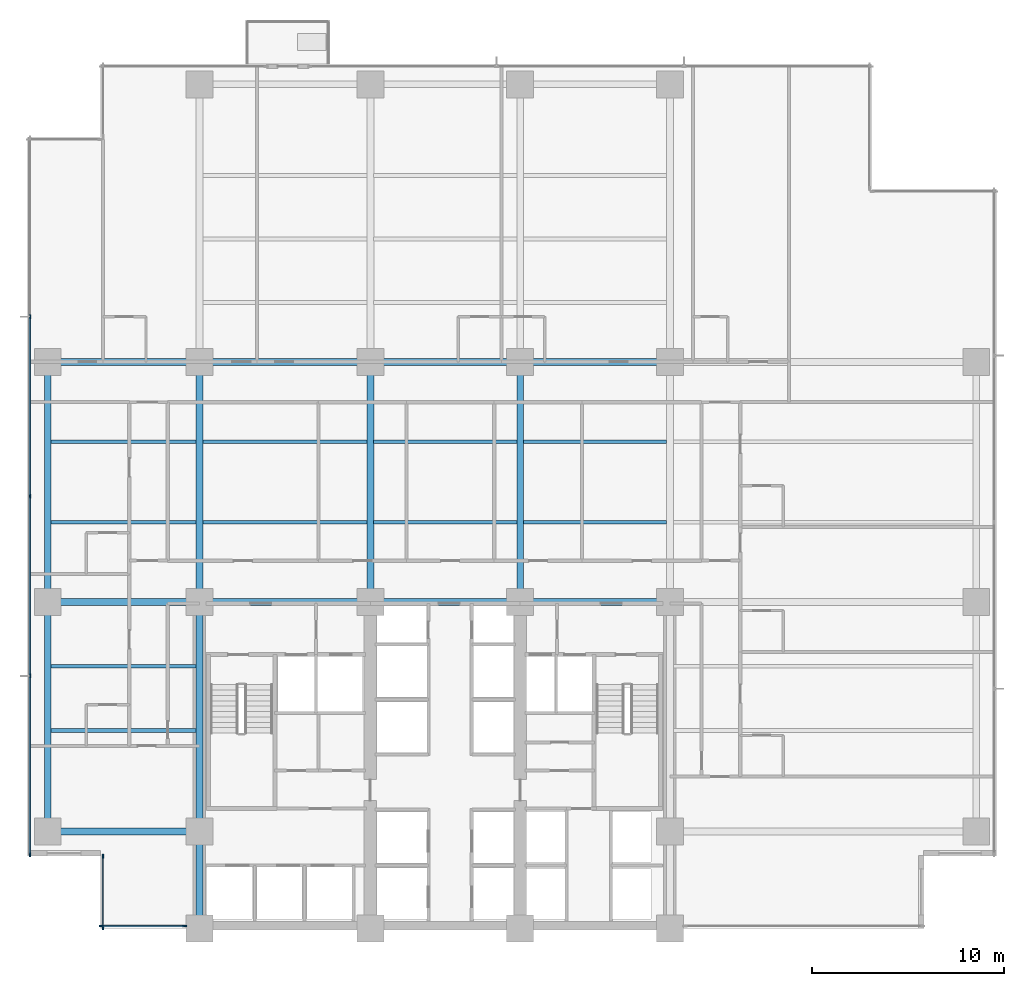
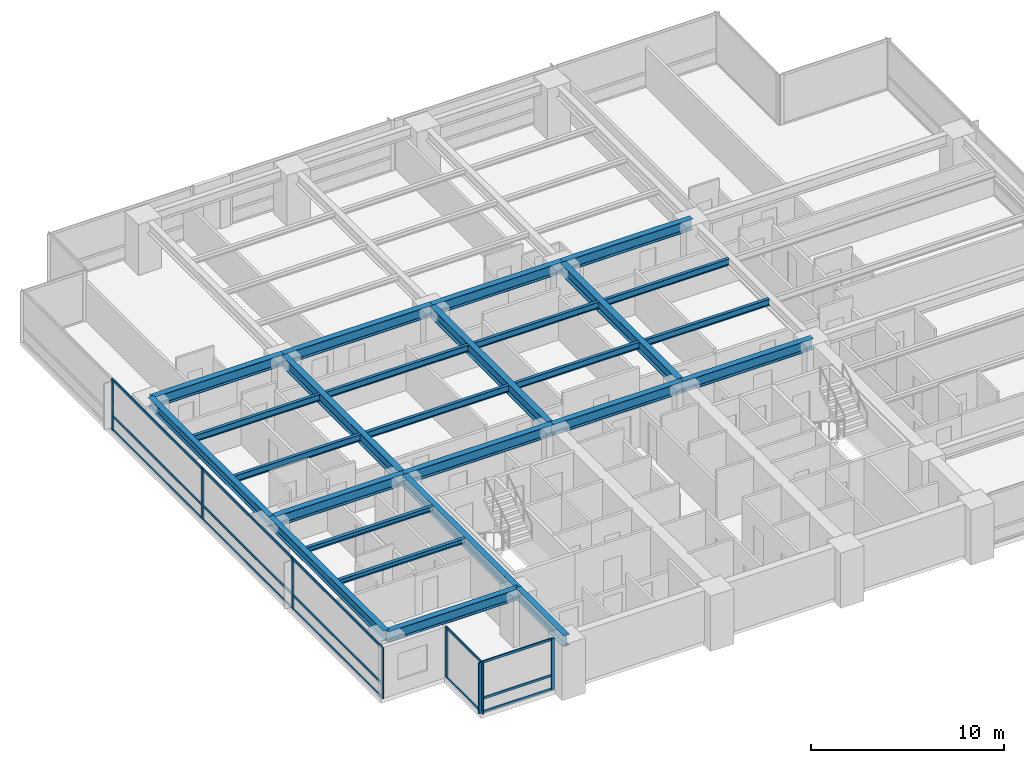
# One storey, part 2 of 16: 26 beams, 22 members, 3 elements without a shape of their own.
"""IFC4 building model written with IfcOpenShell, lengths in metres."""

from ifc_helpers import new_model, si_unit, direction, frame, origin, origin_2d, place, context, subcontext, project, spatial, rectangle, i_section, extrude, material, layer, layer_set, material_profile, profile_set, type_object, element, aggregate, save


model = new_model("IFC4")

# Units and contexts
model_context = context("Model", 3, precision=1e-05, world=origin(), true_north=direction((0.0, 1.0)))
body_context = subcontext(model_context, "Body", "Model", "MODEL_VIEW")
ifc_project = project(units=[si_unit("LENGTHUNIT", "METRE"), si_unit("AREAUNIT", "SQUARE_METRE"), si_unit("VOLUMEUNIT", "CUBIC_METRE"), si_unit("PLANEANGLEUNIT", "RADIAN"), si_unit("MASSUNIT", "GRAM", prefix="KILO")], contexts=[model_context])

# Site, building, storey
site_placement = place(None, origin())
site = spatial("IfcSite", under=ifc_project, at=site_placement, CompositionType="ELEMENT")
building_placement = place(site_placement, origin())
building = spatial("IfcBuilding", under=site, at=building_placement, Name="Qalmaran Belvedere Hotel", CompositionType="ELEMENT")
storey_placement = place(building_placement, frame((0.0, 0.0, 43.89990234375)))
storey = spatial("IfcBuildingStorey", under=building, at=storey_placement, Name="L10", CompositionType="ELEMENT", Elevation=43.89990234375)

# Beams
ifc_material_1 = material(Name="Steel S355JR", Category="steel")
ifc_material_profile_1 = material_profile(ifc_material_1, i_section(OverallWidth=0.202880859375, OverallDepth=0.302978515625, WebThickness=0.007568359375, FlangeThickness=0.01318359375, FilletRadius=0.012939453125, at=origin_2d()), Name="W310X60")
ifc_profile_set_1 = profile_set([ifc_material_profile_1], Name="Steel S355JR")
beam_type_1 = type_object("IfcBeamType", Name="BM-JST-W310X60", PredefinedType="JOIST", material=ifc_profile_set_1)
for number, where, z_axis, x_axis, name in (
    (1, (12.5615234375, 13.800048828125, 3.068603515625), (1.0, 0.0, 0.0), (0.0, 1.0, 0.0), "L10 West Wing Joist 038"),
    (2, (12.5615234375, 17.14990234375, 3.068603515625), (1.0, 0.0, 0.0), (0.0, 1.0, 0.0), "L10 West Wing Joist 040"),
):
    element("IfcBeam", number, at=place(storey_placement, frame(where, z_axis=z_axis, x_axis=x_axis)), inside=storey, type_object=beam_type_1, Name=name, PredefinedType="JOIST", context=body_context, shape_type="SweptSolid", body=[
        extrude(i_section(OverallWidth=0.202880859375, OverallDepth=0.302978515625, WebThickness=0.007568359375, FlangeThickness=0.01318359375, FilletRadius=0.012939453125, at=origin_2d()), origin(), (0.0, 0.0, 1.0), 7.56298828125),
    ])
ifc_material_profile_2 = material_profile(ifc_material_1, i_section(OverallWidth=0.180908203125, OverallDepth=0.4169921875, WebThickness=0.010986328125, FlangeThickness=0.018310546875, FilletRadius=0.014892578125, at=origin_2d()), Name="W410X85")
ifc_profile_set_2 = profile_set([ifc_material_profile_2], Name="Steel S355JR")
beam_type_2 = type_object("IfcBeamType", Name="BM-SB1-W410X85", PredefinedType="BEAM", material=ifc_profile_set_2)
beam_1_placement = place(storey_placement, frame((12.5615234375, 24.64990234375, 3.01171875), z_axis=(1.0, 0.0, 0.0), x_axis=(0.0, 1.0, 0.0)))
element("IfcBeam", 3, at=beam_1_placement, inside=storey, type_object=beam_type_2, Name="L10 West Secondary Beam 028", PredefinedType="BEAM", context=body_context, shape_type="SweptSolid", body=[
    extrude(i_section(OverallWidth=0.180908203125, OverallDepth=0.4169921875, WebThickness=0.010986328125, FlangeThickness=0.018310546875, FilletRadius=0.014892578125, at=origin_2d()), origin(), (0.0, 0.0, 1.0), 7.56298828125),
])
beam_2_placement = place(storey_placement, frame((20.4755859375, 24.64990234375, 3.01171875), z_axis=(1.0, 0.0, 0.0), x_axis=(0.0, 1.0, 0.0)))
element("IfcBeam", 4, at=beam_2_placement, inside=storey, type_object=beam_type_2, Name="L10 Secondary Floor Beam 029", PredefinedType="BEAM", context=body_context, shape_type="SweptSolid", body=[
    extrude(i_section(OverallWidth=0.180908203125, OverallDepth=0.4169921875, WebThickness=0.010986328125, FlangeThickness=0.018310546875, FilletRadius=0.014892578125, at=origin_2d()), origin(), (0.0, 0.0, 1.0), 8.548828125),
])
for number, where, z_axis, x_axis, name in (
    (5, (29.37548828125, 24.64990234375, 3.01171875), (1.0, 0.0, 0.0), (0.0, 1.0, 0.0), "L10 Secondary Floor Beam 030"),
    (6, (37.175537109375, 24.64990234375, 3.01171875), (1.0, 0.0, 0.0), (0.0, 1.0, 0.0), "L10 Secondary Floor Beam 031"),
):
    element("IfcBeam", number, at=place(storey_placement, frame(where, z_axis=z_axis, x_axis=x_axis)), inside=storey, type_object=beam_type_2, Name=name, PredefinedType="BEAM", context=body_context, shape_type="SweptSolid", body=[
        extrude(i_section(OverallWidth=0.180908203125, OverallDepth=0.4169921875, WebThickness=0.010986328125, FlangeThickness=0.018310546875, FilletRadius=0.014892578125, at=origin_2d()), origin(), (0.0, 0.0, 1.0), 7.448974609375),
    ])
beam_3_placement = place(storey_placement, frame((12.5615234375, 28.85009765625, 3.01171875), z_axis=(1.0, 0.0, 0.0), x_axis=(0.0, 1.0, 0.0)))
element("IfcBeam", 7, at=beam_3_placement, inside=storey, type_object=beam_type_2, Name="L10 West Secondary Beam 033", PredefinedType="BEAM", context=body_context, shape_type="SweptSolid", body=[
    extrude(i_section(OverallWidth=0.180908203125, OverallDepth=0.4169921875, WebThickness=0.010986328125, FlangeThickness=0.018310546875, FilletRadius=0.014892578125, at=origin_2d()), origin(), (0.0, 0.0, 1.0), 7.56298828125),
])
beam_4_placement = place(storey_placement, frame((20.4755859375, 28.85009765625, 3.01171875), z_axis=(1.0, 0.0, 0.0), x_axis=(0.0, 1.0, 0.0)))
element("IfcBeam", 8, at=beam_4_placement, inside=storey, type_object=beam_type_2, Name="L10 Secondary Floor Beam 034", PredefinedType="BEAM", context=body_context, shape_type="SweptSolid", body=[
    extrude(i_section(OverallWidth=0.180908203125, OverallDepth=0.4169921875, WebThickness=0.010986328125, FlangeThickness=0.018310546875, FilletRadius=0.014892578125, at=origin_2d()), origin(), (0.0, 0.0, 1.0), 8.548828125),
])
for number, where, z_axis, x_axis, name in (
    (9, (29.37548828125, 28.85009765625, 3.01171875), (1.0, 0.0, 0.0), (0.0, 1.0, 0.0), "L10 Secondary Floor Beam 035"),
    (10, (37.175537109375, 28.85009765625, 3.01171875), (1.0, 0.0, 0.0), (0.0, 1.0, 0.0), "L10 Secondary Floor Beam 036"),
):
    element("IfcBeam", number, at=place(storey_placement, frame(where, z_axis=z_axis, x_axis=x_axis)), inside=storey, type_object=beam_type_2, Name=name, PredefinedType="BEAM", context=body_context, shape_type="SweptSolid", body=[
        extrude(i_section(OverallWidth=0.180908203125, OverallDepth=0.4169921875, WebThickness=0.010986328125, FlangeThickness=0.018310546875, FilletRadius=0.014892578125, at=origin_2d()), origin(), (0.0, 0.0, 1.0), 7.448974609375),
    ])
ifc_material_profile_3 = material_profile(ifc_material_1, i_section(OverallWidth=0.326904296875, OverallDepth=0.6220703125, WebThickness=0.015380859375, FlangeThickness=0.0244140625, FilletRadius=0.02001953125, at=origin_2d()), Name="W610X195")
ifc_profile_set_3 = profile_set([ifc_material_profile_3], Name="Steel S355JR")
beam_type_3 = type_object("IfcBeamType", Name="BM-SP1-W610X195", PredefinedType="SPANDREL", material=ifc_profile_set_3)
beam_5_placement = place(storey_placement, frame((12.39990234375, 8.550048828125, 2.9091796875), z_axis=(0.0, 1.0, 0.0), x_axis=(-1.0, 0.0, 0.0)))
element("IfcBeam", 11, at=beam_5_placement, inside=storey, type_object=beam_type_3, Name="L10 Perimeter Spandrel 01", PredefinedType="SPANDREL", context=body_context, shape_type="SweptSolid", body=[
    extrude(i_section(OverallWidth=0.326904296875, OverallDepth=0.6220703125, WebThickness=0.015380859375, FlangeThickness=0.0244140625, FilletRadius=0.02001953125, at=origin_2d()), origin(), (0.0, 0.0, 1.0), 11.949951171875),
])
beam_6_placement = place(storey_placement, frame((12.39990234375, 20.5, 2.9091796875), z_axis=(0.0, 1.0, 0.0), x_axis=(-1.0, 0.0, 0.0)))
element("IfcBeam", 12, at=beam_6_placement, inside=storey, type_object=beam_type_3, Name="L10 Perimeter Spandrel 02", PredefinedType="SPANDREL", context=body_context, shape_type="SweptSolid", body=[
    extrude(i_section(OverallWidth=0.326904296875, OverallDepth=0.6220703125, WebThickness=0.015380859375, FlangeThickness=0.0244140625, FilletRadius=0.02001953125, at=origin_2d()), origin(), (0.0, 0.0, 1.0), 12.5),
])
ifc_material_profile_4 = material_profile(ifc_material_1, i_section(OverallWidth=0.35498046875, OverallDepth=0.695068359375, WebThickness=0.015380859375, FlangeThickness=0.02490234375, FilletRadius=0.02197265625, at=origin_2d()), Name="W690X217")
ifc_profile_set_4 = profile_set([ifc_material_profile_4], Name="Steel S355JR")
beam_type_4 = type_object("IfcBeamType", Name="BM-Z1-W690X217", PredefinedType="USERDEFINED", material=ifc_profile_set_4)
beam_7_placement = place(storey_placement, frame((20.300048828125, 20.5, 2.87255859375), z_axis=(1.0, 0.0, 0.0), x_axis=(0.0, 1.0, 0.0)))
element("IfcBeam", 13, at=beam_7_placement, inside=storey, type_object=beam_type_4, Name="L10 Interior E-W Girder 08", ObjectType="GIRDER", PredefinedType="USERDEFINED", context=body_context, shape_type="SweptSolid", body=[
    extrude(i_section(OverallWidth=0.35498046875, OverallDepth=0.695068359375, WebThickness=0.015380859375, FlangeThickness=0.02490234375, FilletRadius=0.02197265625, at=origin_2d()), origin(), (0.0, 0.0, 1.0), 8.89990234375),
])
for number, where, z_axis, x_axis, name in (
    (14, (29.199951171875, 20.5, 2.87255859375), (1.0, 0.0, 0.0), (0.0, 1.0, 0.0), "L10 Interior E-W Girder 09"),
    (15, (37.0, 20.5, 2.87255859375), (1.0, 0.0, 0.0), (0.0, 1.0, 0.0), "L10 Interior E-W Girder 10"),
):
    element("IfcBeam", number, at=place(storey_placement, frame(where, z_axis=z_axis, x_axis=x_axis)), inside=storey, type_object=beam_type_4, Name=name, ObjectType="GIRDER", PredefinedType="USERDEFINED", context=body_context, shape_type="SweptSolid", body=[
        extrude(i_section(OverallWidth=0.35498046875, OverallDepth=0.695068359375, WebThickness=0.015380859375, FlangeThickness=0.02490234375, FilletRadius=0.02197265625, at=origin_2d()), origin(), (0.0, 0.0, 1.0), 7.800048828125),
    ])
beam_8_placement = place(storey_placement, frame((20.300048828125, 33.0, 2.87255859375), z_axis=(1.0, 0.0, 0.0), x_axis=(0.0, 1.0, 0.0)))
element("IfcBeam", 16, at=beam_8_placement, inside=storey, type_object=beam_type_4, Name="L10 Interior E-W Girder 11", ObjectType="GIRDER", PredefinedType="USERDEFINED", context=body_context, shape_type="SweptSolid", body=[
    extrude(i_section(OverallWidth=0.35498046875, OverallDepth=0.695068359375, WebThickness=0.015380859375, FlangeThickness=0.02490234375, FilletRadius=0.02197265625, at=origin_2d()), origin(), (0.0, 0.0, 1.0), 8.89990234375),
])
for number, where, z_axis, x_axis, name in (
    (17, (29.199951171875, 33.0, 2.87255859375), (1.0, 0.0, 0.0), (0.0, 1.0, 0.0), "L10 Interior E-W Girder 12"),
    (18, (37.0, 33.0, 2.87255859375), (1.0, 0.0, 0.0), (0.0, 1.0, 0.0), "L10 Interior E-W Girder 13"),
):
    element("IfcBeam", number, at=place(storey_placement, frame(where, z_axis=z_axis, x_axis=x_axis)), inside=storey, type_object=beam_type_4, Name=name, ObjectType="GIRDER", PredefinedType="USERDEFINED", context=body_context, shape_type="SweptSolid", body=[
        extrude(i_section(OverallWidth=0.35498046875, OverallDepth=0.695068359375, WebThickness=0.015380859375, FlangeThickness=0.02490234375, FilletRadius=0.02197265625, at=origin_2d()), origin(), (0.0, 0.0, 1.0), 7.800048828125),
    ])
for number, where, z_axis, x_axis, name in (
    (19, (20.300048828125, 20.5, 2.87255859375), (0.0, 1.0, 0.0), (-1.0, 0.0, 0.0), "L10 Mid-Plate N-S Girder 14"),
    (20, (29.199951171875, 20.5, 2.87255859375), (0.0, 1.0, 0.0), (-1.0, 0.0, 0.0), "L10 Mid-Plate N-S Girder 16"),
    (21, (37.0, 20.5, 2.87255859375), (0.0, 1.0, 0.0), (-1.0, 0.0, 0.0), "L10 Mid-Plate N-S Girder 18"),
):
    element("IfcBeam", number, at=place(storey_placement, frame(where, z_axis=z_axis, x_axis=x_axis)), inside=storey, type_object=beam_type_4, Name=name, ObjectType="GIRDER", PredefinedType="USERDEFINED", context=body_context, shape_type="SweptSolid", body=[
        extrude(i_section(OverallWidth=0.35498046875, OverallDepth=0.695068359375, WebThickness=0.015380859375, FlangeThickness=0.02490234375, FilletRadius=0.02197265625, at=origin_2d()), origin(), (0.0, 0.0, 1.0), 12.5),
    ])
for number, where, z_axis, x_axis, name in (
    (22, (12.39990234375, 8.550048828125, 2.87255859375), (1.0, 0.0, 0.0), (0.0, 1.0, 0.0), "L10 West Wing Girder 22"),
    (23, (12.39990234375, 20.5, 2.87255859375), (1.0, 0.0, 0.0), (0.0, 1.0, 0.0), "L10 West Wing Girder 23"),
    (24, (12.39990234375, 33.0, 2.87255859375), (1.0, 0.0, 0.0), (0.0, 1.0, 0.0), "L10 West Wing Girder 24"),
):
    element("IfcBeam", number, at=place(storey_placement, frame(where, z_axis=z_axis, x_axis=x_axis)), inside=storey, type_object=beam_type_4, Name=name, ObjectType="GIRDER", PredefinedType="USERDEFINED", context=body_context, shape_type="SweptSolid", body=[
        extrude(i_section(OverallWidth=0.35498046875, OverallDepth=0.695068359375, WebThickness=0.015380859375, FlangeThickness=0.02490234375, FilletRadius=0.02197265625, at=origin_2d()), origin(), (0.0, 0.0, 1.0), 7.900146484375),
    ])
beam_9_placement = place(storey_placement, frame((20.300048828125, 3.5, 2.87255859375), z_axis=(0.0, 1.0, 0.0), x_axis=(-1.0, 0.0, 0.0)))
element("IfcBeam", 25, at=beam_9_placement, inside=storey, type_object=beam_type_4, Name="L10 West Core Edge Girder A", ObjectType="GIRDER", PredefinedType="USERDEFINED", context=body_context, shape_type="SweptSolid", body=[
    extrude(i_section(OverallWidth=0.35498046875, OverallDepth=0.695068359375, WebThickness=0.015380859375, FlangeThickness=0.02490234375, FilletRadius=0.02197265625, at=origin_2d()), origin(), (0.0, 0.0, 1.0), 5.050048828125),
])
beam_10_placement = place(storey_placement, frame((20.300048828125, 8.550048828125, 2.87255859375), z_axis=(0.0, 1.0, 0.0), x_axis=(-1.0, 0.0, 0.0)))
element("IfcBeam", 26, at=beam_10_placement, inside=storey, type_object=beam_type_4, Name="L10 West Core Edge Girder B", ObjectType="GIRDER", PredefinedType="USERDEFINED", context=body_context, shape_type="SweptSolid", body=[
    extrude(i_section(OverallWidth=0.35498046875, OverallDepth=0.695068359375, WebThickness=0.015380859375, FlangeThickness=0.02490234375, FilletRadius=0.02197265625, at=origin_2d()), origin(), (0.0, 0.0, 1.0), 11.949951171875),
])

# Curtain wall, members
ifc_material_2 = material(Name="Anodised Bronze Aluminium", Category="aluminium")
ifc_layer = layer(ifc_material_2, 0.2099609375, Name="Anodised Bronze Aluminium")
ifc_layer_set = layer_set([ifc_layer], Name="Anodised Bronze Aluminium")
curtain_wall_type = type_object("IfcCurtainWallType", Name="CW2-TOWER-LOWER", PredefinedType="NOTDEFINED", material=ifc_layer_set)
curtain_wall_1_placement = place(storey_placement, origin())
curtain_wall_1 = element("IfcCurtainWall", 27, at=curtain_wall_1_placement, inside=storey, type_object=curtain_wall_type, Name="L10 Curtain Wall CW2", PredefinedType="NOTDEFINED")
ifc_material_profile_5 = material_profile(ifc_material_2, rectangle(XDim=0.074951171875, YDim=0.219970703125, at=origin_2d()), Name="CWM75X220")
ifc_profile_set_5 = profile_set([ifc_material_profile_5], Name="Anodised Bronze Aluminium")
member_type_1 = type_object("IfcMemberType", Name="CWM-75X220", PredefinedType="MULLION", material=ifc_profile_set_5)
member_1_placement = place(storey_placement, frame((15.1875, 3.6201171875, 0.0), z_axis=(0.0, 0.0, 1.0), x_axis=(0.0, 1.0, 0.0)))
member_1 = element("IfcMember", 28, at=member_1_placement, type_object=member_type_1, Name="CW2 mullion 1", PredefinedType="MULLION", context=body_context, shape_type="SweptSolid", body=[
    extrude(rectangle(XDim=0.074951171875, YDim=0.219970703125, at=origin_2d()), origin(), (0.0, 0.0, 1.0), 3.22021484375),
])
member_2_placement = place(storey_placement, frame((19.5224609375, 3.6201171875, 0.0), z_axis=(0.0, 0.0, 1.0), x_axis=(0.0, 1.0, 0.0)))
member_2 = element("IfcMember", 29, at=member_2_placement, type_object=member_type_1, Name="CW2 mullion 2", PredefinedType="MULLION", context=body_context, shape_type="SweptSolid", body=[
    extrude(rectangle(XDim=0.074951171875, YDim=0.219970703125, at=origin_2d()), origin(), (0.0, 0.0, 1.0), 3.22021484375),
])

curtain_wall_2_placement = place(storey_placement, origin())
curtain_wall_2 = element("IfcCurtainWall", 30, at=curtain_wall_2_placement, inside=storey, type_object=curtain_wall_type, Name="L10 Curtain Wall CW2", PredefinedType="NOTDEFINED")
member_3_placement = place(storey_placement, frame((11.469970703125, 35.35009765625, 0.0), z_axis=(0.0, 0.0, 1.0), x_axis=(1.0, 0.0, 0.0)))
member_3 = element("IfcMember", 31, at=member_3_placement, type_object=member_type_1, Name="CW2 mullion 2", PredefinedType="MULLION", context=body_context, shape_type="SweptSolid", body=[
    extrude(rectangle(XDim=0.074951171875, YDim=0.219970703125, at=origin_2d()), origin(), (0.0, 0.0, 1.0), 3.22021484375),
])
member_4_placement = place(storey_placement, frame((11.469970703125, 26.0, 0.0), z_axis=(0.0, 0.0, 1.0), x_axis=(1.0, 0.0, 0.0)))
member_4 = element("IfcMember", 32, at=member_4_placement, type_object=member_type_1, Name="CW2 mullion 3", PredefinedType="MULLION", context=body_context, shape_type="SweptSolid", body=[
    extrude(rectangle(XDim=0.074951171875, YDim=0.219970703125, at=origin_2d()), origin(), (0.0, 0.0, 1.0), 3.22021484375),
])
member_5_placement = place(storey_placement, frame((11.469970703125, 16.64990234375, 0.0), z_axis=(0.0, 0.0, 1.0), x_axis=(1.0, 0.0, 0.0)))
member_5 = element("IfcMember", 33, at=member_5_placement, type_object=member_type_1, Name="CW2 mullion 4", PredefinedType="MULLION", context=body_context, shape_type="SweptSolid", body=[
    extrude(rectangle(XDim=0.074951171875, YDim=0.219970703125, at=origin_2d()), origin(), (0.0, 0.0, 1.0), 3.22021484375),
])
member_6_placement = place(storey_placement, frame((11.469970703125, 7.33740234375, 0.0), z_axis=(0.0, 0.0, 1.0), x_axis=(1.0, 0.0, 0.0)))
member_6 = element("IfcMember", 34, at=member_6_placement, type_object=member_type_1, Name="CW2 mullion 5", PredefinedType="MULLION", context=body_context, shape_type="SweptSolid", body=[
    extrude(rectangle(XDim=0.074951171875, YDim=0.219970703125, at=origin_2d()), origin(), (0.0, 0.0, 1.0), 3.22021484375),
])

curtain_wall_3_placement = place(storey_placement, origin())
curtain_wall_3 = element("IfcCurtainWall", 35, at=curtain_wall_3_placement, inside=storey, type_object=curtain_wall_type, Name="L10 Curtain Wall CW2", PredefinedType="NOTDEFINED")
member_7_placement = place(storey_placement, frame((15.27001953125, 7.262451171875, 0.0), z_axis=(0.0, 0.0, 1.0), x_axis=(1.0, 0.0, 0.0)))
member_7 = element("IfcMember", 36, at=member_7_placement, type_object=member_type_1, Name="CW2 mullion 1", PredefinedType="MULLION", context=body_context, shape_type="SweptSolid", body=[
    extrude(rectangle(XDim=0.074951171875, YDim=0.219970703125, at=origin_2d()), origin(), (0.0, 0.0, 1.0), 3.22021484375),
])
member_8_placement = place(storey_placement, frame((15.27001953125, 3.53759765625, 0.0), z_axis=(0.0, 0.0, 1.0), x_axis=(1.0, 0.0, 0.0)))
member_8 = element("IfcMember", 37, at=member_8_placement, type_object=member_type_1, Name="CW2 mullion 2", PredefinedType="MULLION", context=body_context, shape_type="SweptSolid", body=[
    extrude(rectangle(XDim=0.074951171875, YDim=0.219970703125, at=origin_2d()), origin(), (0.0, 0.0, 1.0), 3.22021484375),
])

# Member
ifc_material_profile_6 = material_profile(ifc_material_2, rectangle(XDim=0.070068359375, YDim=0.14990234375, at=origin_2d()), Name="CWT70X150")
ifc_profile_set_6 = profile_set([ifc_material_profile_6], Name="Anodised Bronze Aluminium")
member_type_2 = type_object("IfcMemberType", Name="CWT-70X150", PredefinedType="USERDEFINED", material=ifc_profile_set_6)
member_9_placement = place(storey_placement, frame((15.22509765625, 3.6201171875, 0.03515625), z_axis=(1.0, 0.0, 0.0), x_axis=(0.0, 1.0, 0.0)))
member_9 = element("IfcMember", 38, at=member_9_placement, type_object=member_type_2, Name="CW2 transom 1.1", ObjectType="TRANSOM", PredefinedType="USERDEFINED", context=body_context, shape_type="SweptSolid", body=[
    extrude(rectangle(XDim=0.070068359375, YDim=0.14990234375, at=origin_2d()), origin(), (0.0, 0.0, 1.0), 4.260009765625),
])

member_10_placement = place(storey_placement, frame((15.22509765625, 3.6201171875, 0.901611328125), z_axis=(1.0, 0.0, 0.0), x_axis=(0.0, 1.0, 0.0)))
member_10 = element("IfcMember", 39, at=member_10_placement, type_object=member_type_2, Name="CW2 transom 1.2", ObjectType="TRANSOM", PredefinedType="USERDEFINED", context=body_context, shape_type="SweptSolid", body=[
    extrude(rectangle(XDim=0.070068359375, YDim=0.14990234375, at=origin_2d()), origin(), (0.0, 0.0, 1.0), 4.260009765625),
])

member_11_placement = place(storey_placement, frame((15.22509765625, 3.6201171875, 3.18505859375), z_axis=(1.0, 0.0, 0.0), x_axis=(0.0, 1.0, 0.0)))
member_11 = element("IfcMember", 40, at=member_11_placement, type_object=member_type_2, Name="CW2 transom 1.3", ObjectType="TRANSOM", PredefinedType="USERDEFINED", context=body_context, shape_type="SweptSolid", body=[
    extrude(rectangle(XDim=0.070068359375, YDim=0.14990234375, at=origin_2d()), origin(), (0.0, 0.0, 1.0), 4.260009765625),
])

aggregate(curtain_wall_1, [member_1, member_2, member_9, member_10, member_11])

member_12_placement = place(storey_placement, frame((11.469970703125, 35.3125, 0.03515625), z_axis=(0.0, -1.0, 0.0), x_axis=(1.0, 0.0, 0.0)))
member_12 = element("IfcMember", 41, at=member_12_placement, type_object=member_type_2, Name="CW2 transom 2.1", ObjectType="TRANSOM", PredefinedType="USERDEFINED", context=body_context, shape_type="SweptSolid", body=[
    extrude(rectangle(XDim=0.070068359375, YDim=0.14990234375, at=origin_2d()), origin(), (0.0, 0.0, 1.0), 9.27490234375),
])

member_13_placement = place(storey_placement, frame((11.469970703125, 35.3125, 0.901611328125), z_axis=(0.0, -1.0, 0.0), x_axis=(1.0, 0.0, 0.0)))
member_13 = element("IfcMember", 42, at=member_13_placement, type_object=member_type_2, Name="CW2 transom 2.2", ObjectType="TRANSOM", PredefinedType="USERDEFINED", context=body_context, shape_type="SweptSolid", body=[
    extrude(rectangle(XDim=0.070068359375, YDim=0.14990234375, at=origin_2d()), origin(), (0.0, 0.0, 1.0), 9.27490234375),
])

member_14_placement = place(storey_placement, frame((11.469970703125, 35.3125, 3.18505859375), z_axis=(0.0, -1.0, 0.0), x_axis=(1.0, 0.0, 0.0)))
member_14 = element("IfcMember", 43, at=member_14_placement, type_object=member_type_2, Name="CW2 transom 2.3", ObjectType="TRANSOM", PredefinedType="USERDEFINED", context=body_context, shape_type="SweptSolid", body=[
    extrude(rectangle(XDim=0.070068359375, YDim=0.14990234375, at=origin_2d()), origin(), (0.0, 0.0, 1.0), 9.27490234375),
])

member_15_placement = place(storey_placement, frame((11.469970703125, 25.96240234375, 0.03515625), z_axis=(0.0, -1.0, 0.0), x_axis=(1.0, 0.0, 0.0)))
member_15 = element("IfcMember", 44, at=member_15_placement, type_object=member_type_2, Name="CW2 transom 3.1", ObjectType="TRANSOM", PredefinedType="USERDEFINED", context=body_context, shape_type="SweptSolid", body=[
    extrude(rectangle(XDim=0.070068359375, YDim=0.14990234375, at=origin_2d()), origin(), (0.0, 0.0, 1.0), 9.27490234375),
])

member_16_placement = place(storey_placement, frame((11.469970703125, 25.96240234375, 0.901611328125), z_axis=(0.0, -1.0, 0.0), x_axis=(1.0, 0.0, 0.0)))
member_16 = element("IfcMember", 45, at=member_16_placement, type_object=member_type_2, Name="CW2 transom 3.2", ObjectType="TRANSOM", PredefinedType="USERDEFINED", context=body_context, shape_type="SweptSolid", body=[
    extrude(rectangle(XDim=0.070068359375, YDim=0.14990234375, at=origin_2d()), origin(), (0.0, 0.0, 1.0), 9.27490234375),
])

member_17_placement = place(storey_placement, frame((11.469970703125, 25.96240234375, 3.18505859375), z_axis=(0.0, -1.0, 0.0), x_axis=(1.0, 0.0, 0.0)))
member_17 = element("IfcMember", 46, at=member_17_placement, type_object=member_type_2, Name="CW2 transom 3.3", ObjectType="TRANSOM", PredefinedType="USERDEFINED", context=body_context, shape_type="SweptSolid", body=[
    extrude(rectangle(XDim=0.070068359375, YDim=0.14990234375, at=origin_2d()), origin(), (0.0, 0.0, 1.0), 9.27490234375),
])

member_18_placement = place(storey_placement, frame((11.469970703125, 16.612548828125, 0.03515625), z_axis=(0.0, -1.0, 0.0), x_axis=(1.0, 0.0, 0.0)))
member_18 = element("IfcMember", 47, at=member_18_placement, type_object=member_type_2, Name="CW2 transom 4.1", ObjectType="TRANSOM", PredefinedType="USERDEFINED", context=body_context, shape_type="SweptSolid", body=[
    extrude(rectangle(XDim=0.070068359375, YDim=0.14990234375, at=origin_2d()), origin(), (0.0, 0.0, 1.0), 9.237548828125),
])

member_19_placement = place(storey_placement, frame((11.469970703125, 16.612548828125, 0.901611328125), z_axis=(0.0, -1.0, 0.0), x_axis=(1.0, 0.0, 0.0)))
member_19 = element("IfcMember", 48, at=member_19_placement, type_object=member_type_2, Name="CW2 transom 4.2", ObjectType="TRANSOM", PredefinedType="USERDEFINED", context=body_context, shape_type="SweptSolid", body=[
    extrude(rectangle(XDim=0.070068359375, YDim=0.14990234375, at=origin_2d()), origin(), (0.0, 0.0, 1.0), 9.237548828125),
])

member_20_placement = place(storey_placement, frame((11.469970703125, 16.612548828125, 3.18505859375), z_axis=(0.0, -1.0, 0.0), x_axis=(1.0, 0.0, 0.0)))
member_20 = element("IfcMember", 49, at=member_20_placement, type_object=member_type_2, Name="CW2 transom 4.3", ObjectType="TRANSOM", PredefinedType="USERDEFINED", context=body_context, shape_type="SweptSolid", body=[
    extrude(rectangle(XDim=0.070068359375, YDim=0.14990234375, at=origin_2d()), origin(), (0.0, 0.0, 1.0), 9.237548828125),
])

aggregate(curtain_wall_2, [member_3, member_4, member_5, member_6, member_12, member_13, member_14, member_15, member_16, member_17, member_18, member_19, member_20])

member_21_placement = place(storey_placement, frame((15.27001953125, 7.22509765625, 0.03515625), z_axis=(0.0, -1.0, 0.0), x_axis=(1.0, 0.0, 0.0)))
member_21 = element("IfcMember", 50, at=member_21_placement, type_object=member_type_2, Name="CW2 transom 1.1", ObjectType="TRANSOM", PredefinedType="USERDEFINED", context=body_context, shape_type="SweptSolid", body=[
    extrude(rectangle(XDim=0.070068359375, YDim=0.14990234375, at=origin_2d()), origin(), (0.0, 0.0, 1.0), 3.650146484375),
])

member_22_placement = place(storey_placement, frame((15.27001953125, 7.22509765625, 3.18505859375), z_axis=(0.0, -1.0, 0.0), x_axis=(1.0, 0.0, 0.0)))
member_22 = element("IfcMember", 51, at=member_22_placement, type_object=member_type_2, Name="CW2 transom 1.2", ObjectType="TRANSOM", PredefinedType="USERDEFINED", context=body_context, shape_type="SweptSolid", body=[
    extrude(rectangle(XDim=0.070068359375, YDim=0.14990234375, at=origin_2d()), origin(), (0.0, 0.0, 1.0), 3.650146484375),
])

aggregate(curtain_wall_3, [member_7, member_8, member_21, member_22])

save(model, "model.ifc")
